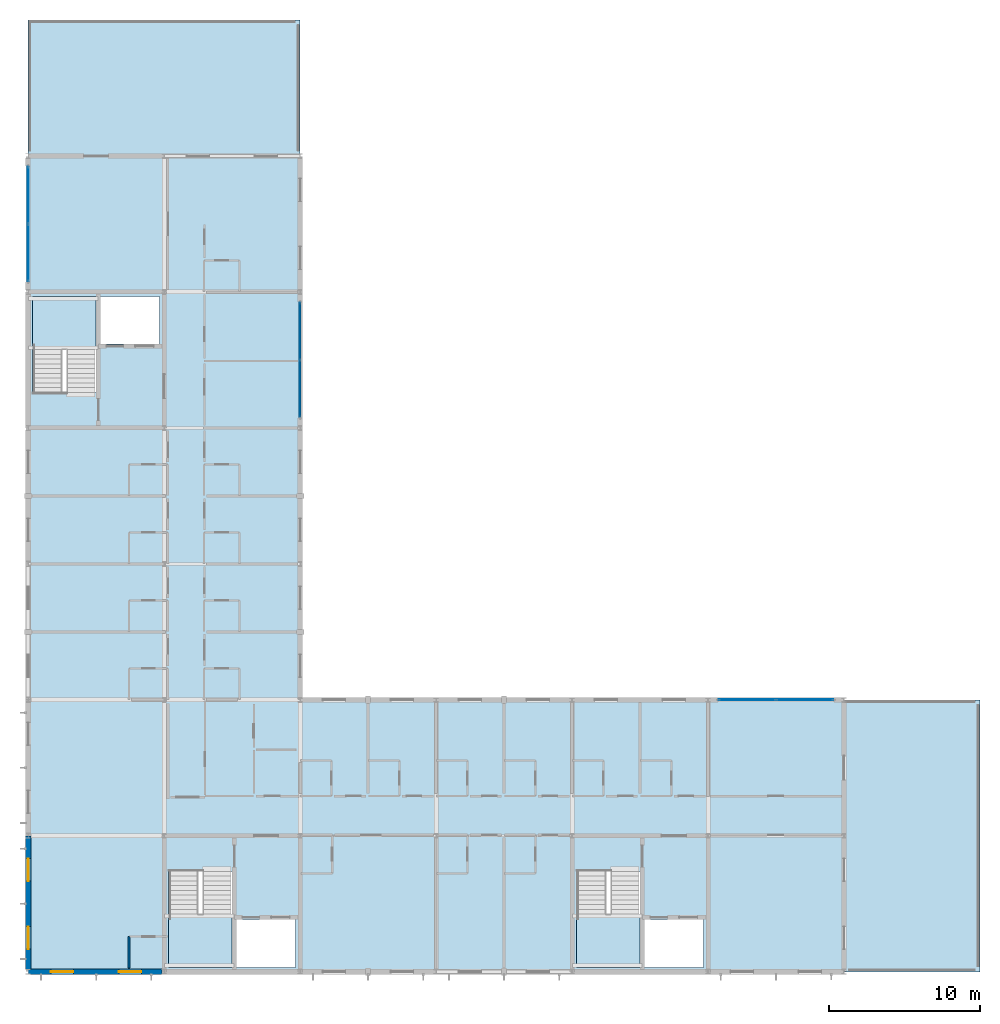
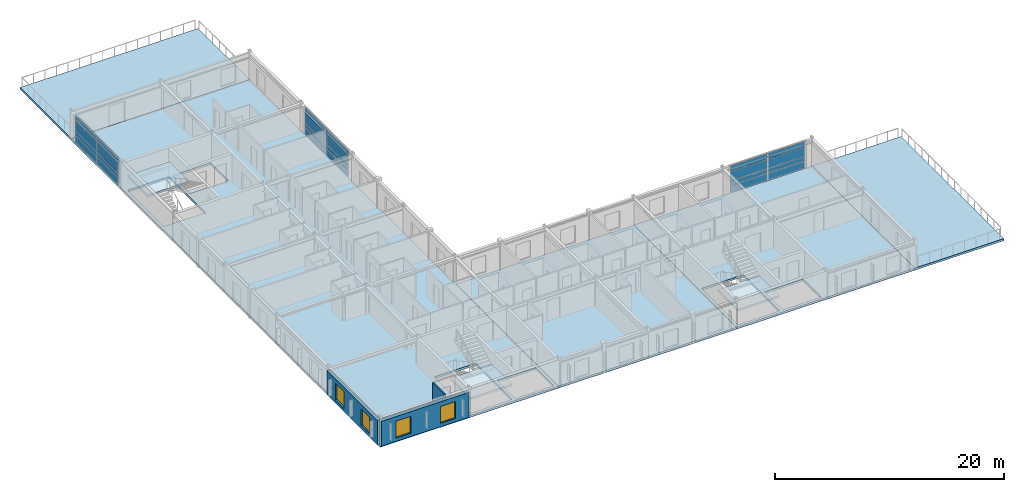
# One storey, part 8 of 18: 24 plates, 8 slabs, 4 windows, 3 walls, 4 openings, 3 elements without a shape of their own.
"""IFC4 building model written with IfcOpenShell, lengths in metres."""

from ifc_helpers import new_model, si_unit, direction, frame, frame_2d, origin, origin_2d, place, context, subcontext, project, spatial, polyline, rectangle, outline, extrude, material, layer, layer_set, type_object, element, fill, aggregate, save


model = new_model("IFC4")

# Units and contexts
model_context = context("Model", 3, precision=1e-05, world=origin(), true_north=direction((0.0, 1.0)))
body_context = subcontext(model_context, "Body", "Model", "MODEL_VIEW")
ifc_project = project(units=[si_unit("LENGTHUNIT", "METRE"), si_unit("AREAUNIT", "SQUARE_METRE"), si_unit("VOLUMEUNIT", "CUBIC_METRE"), si_unit("PLANEANGLEUNIT", "RADIAN"), si_unit("MASSUNIT", "GRAM", prefix="KILO")], contexts=[model_context])

# Site, building, storey
site_placement = place(None, origin())
site = spatial("IfcSite", under=ifc_project, at=site_placement, CompositionType="ELEMENT")
building_placement = place(site_placement, origin())
building = spatial("IfcBuilding", under=site, at=building_placement, Name="Palais des Congres Ocreval", CompositionType="ELEMENT")
storey_placement = place(building_placement, frame((0.0, 0.0, 23.679931640625)))
storey = spatial("IfcBuildingStorey", under=building, at=storey_placement, Name="L07", CompositionType="ELEMENT", Elevation=23.679931640625)

# Curtain wall, plates
ifc_material_1 = material(Name="Anodized bronze aluminium and low-E glass", Category="glass")
curtain_wall_type = type_object("IfcCurtainWallType", Name="Unitised Curtain Wall 7900x2980", PredefinedType="USERDEFINED", material=ifc_material_1)
curtain_wall_1_placement = place(storey_placement, origin())
curtain_wall_1 = element("IfcCurtainWall", 1, at=curtain_wall_1_placement, inside=storey, type_object=curtain_wall_type, Name="Unitised Curtain Wall CW05 L07", ObjectType="UNITISED CURTAIN WALL", PredefinedType="USERDEFINED")
ifc_material_2 = material(Name="Acoustic triple glazing", Category="glass")
ifc_layer_1 = layer(ifc_material_2, 0.0439453125)
ifc_layer_set_1 = layer_set([ifc_layer_1], Name="Acoustic Laminated Glazing Panel 44 (Acoustic triple glazing)")
plate_type_1 = type_object("IfcPlateType", Name="Acoustic Laminated Glazing Panel 44", PredefinedType="CURTAIN_PANEL", material=ifc_layer_set_1)
plate_1_placement = place(storey_placement, frame((0.0, 47.59375, 0.06005859375), z_axis=(0.0, 0.0, 1.0), x_axis=(0.0, 1.0, 0.0)))
plate_1 = element("IfcPlate", 2, at=plate_1_placement, type_object=plate_type_1, Name="Vision Glazing Panel VP02", PredefinedType="CURTAIN_PANEL", context=body_context, shape_type="SweptSolid", body=[
    extrude(rectangle(XDim=3.737548828125, YDim=0.0439453125, at=origin_2d()), origin(), (0.0, 0.0, 1.0), 0.68994140625),
])
plate_2_placement = place(storey_placement, frame((0.0, 47.59375, 0.81005859375), z_axis=(0.0, 0.0, 1.0), x_axis=(0.0, 1.0, 0.0)))
plate_2 = element("IfcPlate", 3, at=plate_2_placement, type_object=plate_type_1, Name="Vision Glazing Panel VP02", PredefinedType="CURTAIN_PANEL", context=body_context, shape_type="SweptSolid", body=[
    extrude(rectangle(XDim=3.737548828125, YDim=0.0439453125, at=origin_2d()), origin(), (0.0, 0.0, 1.0), 0.430419921875),
])
plate_3_placement = place(storey_placement, frame((0.0, 47.59375, 1.300537109375), z_axis=(0.0, 0.0, 1.0), x_axis=(0.0, 1.0, 0.0)))
plate_3 = element("IfcPlate", 4, at=plate_3_placement, type_object=plate_type_1, Name="Vision Glazing Panel VP02", PredefinedType="CURTAIN_PANEL", context=body_context, shape_type="SweptSolid", body=[
    extrude(rectangle(XDim=3.737548828125, YDim=0.0439453125, at=origin_2d()), origin(), (0.0, 0.0, 1.0), 0.9794921875),
])
plate_4_placement = place(storey_placement, frame((0.0, 51.40625, 0.06005859375), z_axis=(0.0, 0.0, 1.0), x_axis=(0.0, 1.0, 0.0)))
plate_4 = element("IfcPlate", 5, at=plate_4_placement, type_object=plate_type_1, Name="Vision Glazing Panel VP02", PredefinedType="CURTAIN_PANEL", context=body_context, shape_type="SweptSolid", body=[
    extrude(rectangle(XDim=3.737548828125, YDim=0.0439453125, at=origin_2d()), origin(), (0.0, 0.0, 1.0), 0.68994140625),
])
plate_5_placement = place(storey_placement, frame((0.0, 51.40625, 0.81005859375), z_axis=(0.0, 0.0, 1.0), x_axis=(0.0, 1.0, 0.0)))
plate_5 = element("IfcPlate", 6, at=plate_5_placement, type_object=plate_type_1, Name="Vision Glazing Panel VP02", PredefinedType="CURTAIN_PANEL", context=body_context, shape_type="SweptSolid", body=[
    extrude(rectangle(XDim=3.737548828125, YDim=0.0439453125, at=origin_2d()), origin(), (0.0, 0.0, 1.0), 0.430419921875),
])
plate_6_placement = place(storey_placement, frame((0.0, 51.40625, 1.300537109375), z_axis=(0.0, 0.0, 1.0), x_axis=(0.0, 1.0, 0.0)))
plate_6 = element("IfcPlate", 7, at=plate_6_placement, type_object=plate_type_1, Name="Vision Glazing Panel VP02", PredefinedType="CURTAIN_PANEL", context=body_context, shape_type="SweptSolid", body=[
    extrude(rectangle(XDim=3.737548828125, YDim=0.0439453125, at=origin_2d()), origin(), (0.0, 0.0, 1.0), 0.9794921875),
])
ifc_material_3 = material(Name="Anodized bronze aluminium", Category="aluminium")
ifc_layer_2 = layer(ifc_material_3, 0.06005859375)
ifc_layer_set_2 = layer_set([ifc_layer_2], Name="Anodized Bronze Spandrel Cassette 60 (Anodized bronze aluminium)")
plate_type_2 = type_object("IfcPlateType", Name="Anodized Bronze Spandrel Cassette 60", PredefinedType="SHEET", material=ifc_layer_set_2)
plate_7_placement = place(storey_placement, frame((0.0, 47.59375, 2.340087890625), z_axis=(0.0, 0.0, 1.0), x_axis=(0.0, 1.0, 0.0)))
plate_7 = element("IfcPlate", 8, at=plate_7_placement, type_object=plate_type_2, Name="Spandrel Sheet SPN1", PredefinedType="SHEET", context=body_context, shape_type="SweptSolid", body=[
    extrude(rectangle(XDim=3.737548828125, YDim=0.06005859375, at=origin_2d()), origin(), (0.0, 0.0, 1.0), 0.56005859375),
])
plate_8_placement = place(storey_placement, frame((0.0, 51.40625, 2.340087890625), z_axis=(0.0, 0.0, 1.0), x_axis=(0.0, 1.0, 0.0)))
plate_8 = element("IfcPlate", 9, at=plate_8_placement, type_object=plate_type_2, Name="Spandrel Sheet SPN1", PredefinedType="SHEET", context=body_context, shape_type="SweptSolid", body=[
    extrude(rectangle(XDim=3.737548828125, YDim=0.06005859375, at=origin_2d()), origin(), (0.0, 0.0, 1.0), 0.56005859375),
])
aggregate(curtain_wall_1, [plate_1, plate_2, plate_3, plate_7, plate_4, plate_5, plate_6, plate_8])

curtain_wall_2_placement = place(storey_placement, origin())
curtain_wall_2 = element("IfcCurtainWall", 10, at=curtain_wall_2_placement, inside=storey, type_object=curtain_wall_type, Name="Unitised Curtain Wall CW05 L07", ObjectType="UNITISED CURTAIN WALL", PredefinedType="USERDEFINED")
plate_9_placement = place(storey_placement, frame((47.59375, 18.0, 2.340087890625), z_axis=(0.0, 0.0, 1.0), x_axis=(1.0, 0.0, 0.0)))
plate_9 = element("IfcPlate", 11, at=plate_9_placement, type_object=plate_type_2, Name="Spandrel Sheet SPN1", PredefinedType="SHEET", context=body_context, shape_type="SweptSolid", body=[
    extrude(rectangle(XDim=3.737548828125, YDim=0.06005859375, at=origin_2d()), origin(), (0.0, 0.0, 1.0), 0.56005859375),
])
plate_10_placement = place(storey_placement, frame((51.40625, 18.0, 2.340087890625), z_axis=(0.0, 0.0, 1.0), x_axis=(1.0, 0.0, 0.0)))
plate_10 = element("IfcPlate", 12, at=plate_10_placement, type_object=plate_type_2, Name="Spandrel Sheet SPN1", PredefinedType="SHEET", context=body_context, shape_type="SweptSolid", body=[
    extrude(rectangle(XDim=3.737548828125, YDim=0.06005859375, at=origin_2d()), origin(), (0.0, 0.0, 1.0), 0.56005859375),
])

curtain_wall_3_placement = place(storey_placement, origin())
curtain_wall_3 = element("IfcCurtainWall", 13, at=curtain_wall_3_placement, inside=storey, type_object=curtain_wall_type, Name="Unitised Curtain Wall CW05 L07", ObjectType="UNITISED CURTAIN WALL", PredefinedType="USERDEFINED")
ifc_material_4 = material(Name="Low-E solar-control double glazing", Category="glass")
ifc_layer_3 = layer(ifc_material_4, 0.031982421875)
ifc_layer_set_3 = layer_set([ifc_layer_3], Name="Galleria Clear Vision Panel 32 (Low-E solar-control double glazing)")
plate_type_3 = type_object("IfcPlateType", Name="Galleria Clear Vision Panel 32", PredefinedType="CURTAIN_PANEL", material=ifc_layer_set_3)
plate_11_placement = place(storey_placement, frame((18.0, 42.40625, 0.06005859375), z_axis=(0.0, 0.0, 1.0), x_axis=(0.0, -1.0, 0.0)))
plate_11 = element("IfcPlate", 14, at=plate_11_placement, type_object=plate_type_3, Name="Vision Glazing Panel VP03", PredefinedType="CURTAIN_PANEL", context=body_context, shape_type="SweptSolid", body=[
    extrude(rectangle(XDim=3.737548828125, YDim=0.031982421875, at=origin_2d()), origin(), (0.0, 0.0, 1.0), 0.68994140625),
])
plate_12_placement = place(storey_placement, frame((18.0, 42.40625, 0.81005859375), z_axis=(0.0, 0.0, 1.0), x_axis=(0.0, -1.0, 0.0)))
plate_12 = element("IfcPlate", 15, at=plate_12_placement, type_object=plate_type_3, Name="Vision Glazing Panel VP03", PredefinedType="CURTAIN_PANEL", context=body_context, shape_type="SweptSolid", body=[
    extrude(rectangle(XDim=3.737548828125, YDim=0.031982421875, at=origin_2d()), origin(), (0.0, 0.0, 1.0), 0.430419921875),
])
plate_13_placement = place(storey_placement, frame((18.0, 42.40625, 1.300537109375), z_axis=(0.0, 0.0, 1.0), x_axis=(0.0, -1.0, 0.0)))
plate_13 = element("IfcPlate", 16, at=plate_13_placement, type_object=plate_type_3, Name="Vision Glazing Panel VP03", PredefinedType="CURTAIN_PANEL", context=body_context, shape_type="SweptSolid", body=[
    extrude(rectangle(XDim=3.737548828125, YDim=0.031982421875, at=origin_2d()), origin(), (0.0, 0.0, 1.0), 0.9794921875),
])
plate_14_placement = place(storey_placement, frame((18.0, 38.59375, 0.06005859375), z_axis=(0.0, 0.0, 1.0), x_axis=(0.0, -1.0, 0.0)))
plate_14 = element("IfcPlate", 17, at=plate_14_placement, type_object=plate_type_3, Name="Vision Glazing Panel VP03", PredefinedType="CURTAIN_PANEL", context=body_context, shape_type="SweptSolid", body=[
    extrude(rectangle(XDim=3.737548828125, YDim=0.031982421875, at=origin_2d()), origin(), (0.0, 0.0, 1.0), 0.68994140625),
])
plate_15_placement = place(storey_placement, frame((18.0, 38.59375, 0.81005859375), z_axis=(0.0, 0.0, 1.0), x_axis=(0.0, -1.0, 0.0)))
plate_15 = element("IfcPlate", 18, at=plate_15_placement, type_object=plate_type_3, Name="Vision Glazing Panel VP03", PredefinedType="CURTAIN_PANEL", context=body_context, shape_type="SweptSolid", body=[
    extrude(rectangle(XDim=3.737548828125, YDim=0.031982421875, at=origin_2d()), origin(), (0.0, 0.0, 1.0), 0.430419921875),
])
plate_16_placement = place(storey_placement, frame((18.0, 38.59375, 1.300537109375), z_axis=(0.0, 0.0, 1.0), x_axis=(0.0, -1.0, 0.0)))
plate_16 = element("IfcPlate", 19, at=plate_16_placement, type_object=plate_type_3, Name="Vision Glazing Panel VP03", PredefinedType="CURTAIN_PANEL", context=body_context, shape_type="SweptSolid", body=[
    extrude(rectangle(XDim=3.737548828125, YDim=0.031982421875, at=origin_2d()), origin(), (0.0, 0.0, 1.0), 0.9794921875),
])

# Plate
ifc_layer_4 = layer(ifc_material_4, 0.035888671875)
ifc_layer_set_4 = layer_set([ifc_layer_4], Name="Low-E Vision Glazing Panel 36 (Low-E solar-control double glazing)")
plate_type_4 = type_object("IfcPlateType", Name="Low-E Vision Glazing Panel 36", PredefinedType="CURTAIN_PANEL", material=ifc_layer_set_4)
plate_17_placement = place(storey_placement, frame((47.59375, 18.0, 0.06005859375), z_axis=(0.0, 0.0, 1.0), x_axis=(1.0, 0.0, 0.0)))
plate_17 = element("IfcPlate", 20, at=plate_17_placement, type_object=plate_type_4, Name="Vision Glazing Panel VP01", PredefinedType="CURTAIN_PANEL", context=body_context, shape_type="SweptSolid", body=[
    extrude(rectangle(XDim=3.737548828125, YDim=0.035888671875, at=origin_2d()), origin(), (0.0, 0.0, 1.0), 0.68994140625),
])

plate_18_placement = place(storey_placement, frame((47.59375, 18.0, 0.81005859375), z_axis=(0.0, 0.0, 1.0), x_axis=(1.0, 0.0, 0.0)))
plate_18 = element("IfcPlate", 21, at=plate_18_placement, type_object=plate_type_4, Name="Vision Glazing Panel VP01", PredefinedType="CURTAIN_PANEL", context=body_context, shape_type="SweptSolid", body=[
    extrude(rectangle(XDim=3.737548828125, YDim=0.035888671875, at=origin_2d()), origin(), (0.0, 0.0, 1.0), 0.430419921875),
])

plate_19_placement = place(storey_placement, frame((47.59375, 18.0, 1.300537109375), z_axis=(0.0, 0.0, 1.0), x_axis=(1.0, 0.0, 0.0)))
plate_19 = element("IfcPlate", 22, at=plate_19_placement, type_object=plate_type_4, Name="Vision Glazing Panel VP01", PredefinedType="CURTAIN_PANEL", context=body_context, shape_type="SweptSolid", body=[
    extrude(rectangle(XDim=3.737548828125, YDim=0.035888671875, at=origin_2d()), origin(), (0.0, 0.0, 1.0), 0.9794921875),
])

plate_20_placement = place(storey_placement, frame((51.40625, 18.0, 0.06005859375), z_axis=(0.0, 0.0, 1.0), x_axis=(1.0, 0.0, 0.0)))
plate_20 = element("IfcPlate", 23, at=plate_20_placement, type_object=plate_type_4, Name="Vision Glazing Panel VP01", PredefinedType="CURTAIN_PANEL", context=body_context, shape_type="SweptSolid", body=[
    extrude(rectangle(XDim=3.737548828125, YDim=0.035888671875, at=origin_2d()), origin(), (0.0, 0.0, 1.0), 0.68994140625),
])

plate_21_placement = place(storey_placement, frame((51.40625, 18.0, 0.81005859375), z_axis=(0.0, 0.0, 1.0), x_axis=(1.0, 0.0, 0.0)))
plate_21 = element("IfcPlate", 24, at=plate_21_placement, type_object=plate_type_4, Name="Vision Glazing Panel VP01", PredefinedType="CURTAIN_PANEL", context=body_context, shape_type="SweptSolid", body=[
    extrude(rectangle(XDim=3.737548828125, YDim=0.035888671875, at=origin_2d()), origin(), (0.0, 0.0, 1.0), 0.430419921875),
])

plate_22_placement = place(storey_placement, frame((51.40625, 18.0, 1.300537109375), z_axis=(0.0, 0.0, 1.0), x_axis=(1.0, 0.0, 0.0)))
plate_22 = element("IfcPlate", 25, at=plate_22_placement, type_object=plate_type_4, Name="Vision Glazing Panel VP01", PredefinedType="CURTAIN_PANEL", context=body_context, shape_type="SweptSolid", body=[
    extrude(rectangle(XDim=3.737548828125, YDim=0.035888671875, at=origin_2d()), origin(), (0.0, 0.0, 1.0), 0.9794921875),
])

aggregate(curtain_wall_2, [plate_17, plate_18, plate_19, plate_9, plate_20, plate_21, plate_22, plate_10])

# Slabs
ifc_material_5 = material(Name="Concrete C40/50", Category="concrete")
ifc_layer_5 = layer(ifc_material_5, 0.219970703125)
ifc_layer_set_5 = layer_set([ifc_layer_5], Name="Post-Tensioned Hotel Slab 220 Concrete C40/50")
slab_type_1 = type_object("IfcSlabType", Name="Post-Tensioned Hotel Slab 220 Concrete C40/50", PredefinedType="FLOOR", material=ifc_layer_set_5)
slab_1_placement = place(storey_placement, frame((0.0, 0.0, -0.219970703125)))
element("IfcSlab", 26, at=slab_1_placement, inside=storey, type_object=slab_type_1, Name="Floor Slab SL11 L07 V4-1", PredefinedType="FLOOR", context=body_context, shape_type="SweptSolid", body=[
    extrude(outline(polyline([(0.0, 0.0), (0.0, 18.0), (0.0, 54.0), (18.0, 54.0), (18.0, 18.0), (18.0, 0.0), (0.0, 0.0)]), holes=[polyline([(17.699951171875, 0.300048828125), (17.699951171875, 3.449951171875), (13.800048828125, 3.449951171875), (13.800048828125, 0.300048828125), (17.699951171875, 0.300048828125)]), polyline([(9.300048828125, 0.300048828125), (13.5, 0.300048828125), (13.5, 6.64990234375), (9.300048828125, 6.64990234375), (9.300048828125, 0.300048828125)]), polyline([(0.300048828125, 38.35009765625), (4.5, 38.35009765625), (4.5, 44.699951171875), (0.300048828125, 44.699951171875), (0.300048828125, 38.35009765625)]), polyline([(4.800048828125, 41.550048828125), (8.699951171875, 41.550048828125), (8.699951171875, 44.699951171875), (4.800048828125, 44.699951171875), (4.800048828125, 41.550048828125)])]), origin(), (0.0, 0.0, 1.0), 0.219970703125),
])
slab_2_placement = place(storey_placement, frame((0.0, 0.0, -0.219970703125)))
element("IfcSlab", 27, at=slab_2_placement, inside=storey, type_object=slab_type_1, Name="Floor Slab SL11 L07 V4-2", PredefinedType="FLOOR", context=body_context, shape_type="SweptSolid", body=[
    extrude(outline(polyline([(18.0, 0.0), (18.0, 18.0), (36.0, 18.0), (36.0, 0.0), (18.0, 0.0)])), origin(), (0.0, 0.0, 1.0), 0.219970703125),
])
slab_3_placement = place(storey_placement, frame((0.0, 0.0, -0.219970703125)))
element("IfcSlab", 28, at=slab_3_placement, inside=storey, type_object=slab_type_1, Name="Floor Slab SL11 L07 V4-3", PredefinedType="FLOOR", context=body_context, shape_type="SweptSolid", body=[
    extrude(outline(polyline([(36.0, 0.0), (36.0, 18.0), (54.0, 18.0), (54.0, 0.0), (36.0, 0.0)]), holes=[polyline([(40.800048828125, 0.300048828125), (44.699951171875, 0.300048828125), (44.699951171875, 3.449951171875), (40.800048828125, 3.449951171875), (40.800048828125, 0.300048828125)]), polyline([(40.5, 0.300048828125), (40.5, 6.64990234375), (36.300048828125, 6.64990234375), (36.300048828125, 0.300048828125), (40.5, 0.300048828125)])]), origin(), (0.0, 0.0, 1.0), 0.219970703125),
])
slab_4_placement = place(storey_placement, frame((0.0, 0.0, -0.219970703125)))
element("IfcSlab", 29, at=slab_4_placement, inside=storey, type_object=slab_type_1, Name="Executive Club East Terrace", PredefinedType="FLOOR", context=body_context, shape_type="SweptSolid", body=[
    extrude(outline(polyline([(54.0, 0.0), (54.0, 18.0), (63.0, 18.0), (63.0, 0.0), (54.0, 0.0)])), origin(), (0.0, 0.0, 1.0), 0.219970703125),
])
slab_5_placement = place(storey_placement, frame((0.0, 0.0, -0.219970703125)))
element("IfcSlab", 30, at=slab_5_placement, inside=storey, type_object=slab_type_1, Name="Diplomatic North Terrace", PredefinedType="FLOOR", context=body_context, shape_type="SweptSolid", body=[
    extrude(outline(polyline([(0.0, 54.0), (0.0, 63.0), (18.0, 63.0), (18.0, 54.0), (0.0, 54.0)])), origin(), (0.0, 0.0, 1.0), 0.219970703125),
])
ifc_layer_6 = layer(ifc_material_5, 0.199951171875)
ifc_layer_set_6 = layer_set([ifc_layer_6], Name="Stair and Ramp Landing Slab 200 Concrete C40/50")
slab_type_2 = type_object("IfcSlabType", Name="Stair and Ramp Landing Slab 200 Concrete C40/50", PredefinedType="LANDING", material=ifc_layer_set_6)
slab_6_placement = place(storey_placement, frame((0.0, 0.0, 1.400146484375)))
element("IfcSlab", 31, at=slab_6_placement, inside=storey, type_object=slab_type_2, Name="Stair Half-Landing ST01 L07", PredefinedType="LANDING", context=body_context, shape_type="SweptSolid", body=[
    extrude(outline(polyline([(9.300048828125, 0.300048828125), (13.5, 0.300048828125), (13.5, 3.81494140625), (9.300048828125, 3.81494140625), (9.300048828125, 0.300048828125)])), origin(), (0.0, 0.0, 1.0), 0.199951171875),
])
slab_7_placement = place(storey_placement, frame((0.0, 0.0, 1.400146484375)))
element("IfcSlab", 32, at=slab_7_placement, inside=storey, type_object=slab_type_2, Name="Stair Half-Landing ST02 L07", PredefinedType="LANDING", context=body_context, shape_type="SweptSolid", body=[
    extrude(outline(polyline([(36.300048828125, 0.300048828125), (40.5, 0.300048828125), (40.5, 3.81494140625), (36.300048828125, 3.81494140625), (36.300048828125, 0.300048828125)])), origin(), (0.0, 0.0, 1.0), 0.199951171875),
])
slab_8_placement = place(storey_placement, frame((0.0, 0.0, 1.400146484375)))
element("IfcSlab", 33, at=slab_8_placement, inside=storey, type_object=slab_type_2, Name="Stair Half-Landing ST03 L07", PredefinedType="LANDING", context=body_context, shape_type="SweptSolid", body=[
    extrude(outline(polyline([(0.300048828125, 41.18505859375), (4.5, 41.18505859375), (4.5, 44.699951171875), (0.300048828125, 44.699951171875), (0.300048828125, 41.18505859375)])), origin(), (0.0, 0.0, 1.0), 0.199951171875),
])

# Plate
ifc_material_6 = material(Name="Terracotta ceramic spandrel", Category="masonry")
ifc_layer_7 = layer(ifc_material_6, 0.080078125)
ifc_layer_set_7 = layer_set([ifc_layer_7], Name="Terracotta Insulated Spandrel Sheet 80 (Terracotta ceramic spandrel)")
plate_type_5 = type_object("IfcPlateType", Name="Terracotta Insulated Spandrel Sheet 80", PredefinedType="SHEET", material=ifc_layer_set_7)
plate_23_placement = place(storey_placement, frame((18.0, 42.40625, 2.340087890625), z_axis=(0.0, 0.0, 1.0), x_axis=(0.0, -1.0, 0.0)))
plate_23 = element("IfcPlate", 34, at=plate_23_placement, type_object=plate_type_5, Name="Spandrel Sheet SPN2", PredefinedType="SHEET", context=body_context, shape_type="SweptSolid", body=[
    extrude(rectangle(XDim=3.737548828125, YDim=0.080078125, at=origin_2d()), origin(), (0.0, 0.0, 1.0), 0.56005859375),
])

plate_24_placement = place(storey_placement, frame((18.0, 38.59375, 2.340087890625), z_axis=(0.0, 0.0, 1.0), x_axis=(0.0, -1.0, 0.0)))
plate_24 = element("IfcPlate", 35, at=plate_24_placement, type_object=plate_type_5, Name="Spandrel Sheet SPN2", PredefinedType="SHEET", context=body_context, shape_type="SweptSolid", body=[
    extrude(rectangle(XDim=3.737548828125, YDim=0.080078125, at=origin_2d()), origin(), (0.0, 0.0, 1.0), 0.56005859375),
])

aggregate(curtain_wall_3, [plate_11, plate_12, plate_13, plate_23, plate_14, plate_15, plate_16, plate_24])

# Wall
ifc_material_7 = material(Name="Moisture-resistant gypsum board")
ifc_layer_8 = layer(ifc_material_7, 0.139892578125)
ifc_layer_set_8 = layer_set([ifc_layer_8], Name="Bathroom Plumbing Chase Wall 140 Gypsum (Moisture-resistant gypsum board)")
wall_type_1 = type_object("IfcWallType", Name="Bathroom Plumbing Chase Wall 140 Gypsum", PredefinedType="PLUMBINGWALL", material=ifc_layer_set_8)
wall_1_placement = place(storey_placement, frame((6.679931640625, 0.27001953125, 0.0), z_axis=(0.0, 0.0, 1.0), x_axis=(0.0, 1.0, 0.0)))
element("IfcWall", 36, at=wall_1_placement, inside=storey, type_object=wall_type_1, Name="Bathroom Plumbing Wall PW03 L07", PredefinedType="PLUMBINGWALL", context=body_context, shape_type="SweptSolid", body=[
    extrude(rectangle(XDim=2.06005859375, YDim=0.139892578125, at=frame_2d((1.030029296875, 0.0))), origin(), (0.0, 0.0, 1.0), 2.9599609375),
])

# Wall, openings, windows
ifc_layer_9 = layer(ifc_material_5, 0.3798828125)
ifc_layer_set_9 = layer_set([ifc_layer_9], Name="Lutetian Limestone Street Wall 380 Concrete C40/50")
wall_type_2 = type_object("IfcWallType", Name="Lutetian Limestone Street Wall 380 Concrete C40/50", PredefinedType="SOLIDWALL", material=ifc_layer_set_9)
wall_2_placement = place(storey_placement, frame((8.8701171875, 0.0, 0.0), z_axis=(0.0, 0.0, 1.0), x_axis=(-1.0, 0.0, 0.0)))
wall_2 = element("IfcWall", 37, at=wall_2_placement, inside=storey, type_object=wall_type_2, Name="Exterior Wall EW03 L07", PredefinedType="SOLIDWALL", context=body_context, shape_type="SweptSolid", body=[
    extrude(rectangle(XDim=8.8701171875, YDim=0.3798828125, at=frame_2d((4.43505859375, 0.0))), origin(), (0.0, 0.0, 1.0), 2.66015625),
])
opening_1_placement = place(wall_2_placement, frame((1.3701171875, 0.0, 0.35009765625)))
opening_1 = element("IfcOpeningElement", 38, at=opening_1_placement, cuts=wall_2, Name="Opening WN06", PredefinedType="OPENING", context=body_context, shape_type="SweptSolid", body=[
    extrude(rectangle(XDim=1.5, YDim=1.800048828125, at=frame_2d((0.75, 0.89990234375))), frame((0.0, 0.199951171875, 0.0), z_axis=(0.0, -1.0, 0.0), x_axis=(1.0, 0.0, 0.0)), (0.0, 0.0, 1.0), 0.39990234375),
])
opening_2_placement = place(wall_2_placement, frame((5.8701171875, 0.0, 0.35009765625)))
opening_2 = element("IfcOpeningElement", 39, at=opening_2_placement, cuts=wall_2, Name="Opening WN06", PredefinedType="OPENING", context=body_context, shape_type="SweptSolid", body=[
    extrude(rectangle(XDim=1.5, YDim=1.800048828125, at=frame_2d((0.75, 0.89990234375))), frame((0.0, 0.199951171875, 0.0), z_axis=(0.0, -1.0, 0.0), x_axis=(1.0, 0.0, 0.0)), (0.0, 0.0, 1.0), 0.39990234375),
])
window_type = type_object("IfcWindowType", Name="Upper Setback Window 1500x1800", PartitioningType="SINGLE_PANEL", PredefinedType="WINDOW", material=ifc_material_1)
window_1_placement = place(opening_1_placement, origin())
window_1 = element("IfcWindow", 40, at=window_1_placement, inside=storey, type_object=window_type, Name="Hotel Facade Window WN06", OverallHeight=1.800048828125, OverallWidth=1.5, PartitioningType="SINGLE_PANEL", PredefinedType="WINDOW", context=body_context, shape_type="SweptSolid", body=[
    extrude(rectangle(XDim=1.5, YDim=1.800048828125, at=frame_2d((0.75, 0.89990234375))), frame((0.0, 0.030029296875, 0.0), z_axis=(0.0, -1.0, 0.0), x_axis=(1.0, 0.0, 0.0)), (0.0, 0.0, 1.0), 0.06005859375),
])
fill(opening_1, window_1)
window_2_placement = place(opening_2_placement, origin())
window_2 = element("IfcWindow", 41, at=window_2_placement, inside=storey, type_object=window_type, Name="Hotel Facade Window WN06", OverallHeight=1.800048828125, OverallWidth=1.5, PartitioningType="SINGLE_PANEL", PredefinedType="WINDOW", context=body_context, shape_type="SweptSolid", body=[
    extrude(rectangle(XDim=1.5, YDim=1.800048828125, at=frame_2d((0.75, 0.89990234375))), frame((0.0, 0.030029296875, 0.0), z_axis=(0.0, -1.0, 0.0), x_axis=(1.0, 0.0, 0.0)), (0.0, 0.0, 1.0), 0.06005859375),
])
fill(opening_2, window_2)

wall_3_placement = place(storey_placement, frame((0.0, 0.155029296875, 0.0), z_axis=(0.0, 0.0, 1.0), x_axis=(0.0, 1.0, 0.0)))
wall_3 = element("IfcWall", 42, at=wall_3_placement, inside=storey, type_object=wall_type_2, Name="Exterior Wall EW03 L07", PredefinedType="SOLIDWALL", context=body_context, shape_type="SweptSolid", body=[
    extrude(rectangle(XDim=8.844970703125, YDim=0.3798828125, at=frame_2d((4.42236328125, 0.0))), origin(), (0.0, 0.0, 1.0), 2.60009765625),
])
opening_3_placement = place(wall_3_placement, frame((1.344970703125, 0.0, 0.35009765625)))
opening_3 = element("IfcOpeningElement", 43, at=opening_3_placement, cuts=wall_3, Name="Opening WN06", PredefinedType="OPENING", context=body_context, shape_type="SweptSolid", body=[
    extrude(rectangle(XDim=1.5, YDim=1.800048828125, at=frame_2d((0.75, 0.89990234375))), frame((0.0, 0.199951171875, 0.0), z_axis=(0.0, -1.0, 0.0), x_axis=(1.0, 0.0, 0.0)), (0.0, 0.0, 1.0), 0.39990234375),
])
opening_4_placement = place(wall_3_placement, frame((5.844970703125, 0.0, 0.35009765625)))
opening_4 = element("IfcOpeningElement", 44, at=opening_4_placement, cuts=wall_3, Name="Opening WN06", PredefinedType="OPENING", context=body_context, shape_type="SweptSolid", body=[
    extrude(rectangle(XDim=1.5, YDim=1.800048828125, at=frame_2d((0.75, 0.89990234375))), frame((0.0, 0.199951171875, 0.0), z_axis=(0.0, -1.0, 0.0), x_axis=(1.0, 0.0, 0.0)), (0.0, 0.0, 1.0), 0.39990234375),
])
window_3_placement = place(opening_3_placement, origin())
window_3 = element("IfcWindow", 45, at=window_3_placement, inside=storey, type_object=window_type, Name="Hotel Facade Window WN06", OverallHeight=1.800048828125, OverallWidth=1.5, PartitioningType="SINGLE_PANEL", PredefinedType="WINDOW", context=body_context, shape_type="SweptSolid", body=[
    extrude(rectangle(XDim=1.5, YDim=1.800048828125, at=frame_2d((0.75, 0.89990234375))), frame((0.0, 0.030029296875, 0.0), z_axis=(0.0, -1.0, 0.0), x_axis=(1.0, 0.0, 0.0)), (0.0, 0.0, 1.0), 0.06005859375),
])
fill(opening_3, window_3)
window_4_placement = place(opening_4_placement, origin())
window_4 = element("IfcWindow", 46, at=window_4_placement, inside=storey, type_object=window_type, Name="Hotel Facade Window WN06", OverallHeight=1.800048828125, OverallWidth=1.5, PartitioningType="SINGLE_PANEL", PredefinedType="WINDOW", context=body_context, shape_type="SweptSolid", body=[
    extrude(rectangle(XDim=1.5, YDim=1.800048828125, at=frame_2d((0.75, 0.89990234375))), frame((0.0, 0.030029296875, 0.0), z_axis=(0.0, -1.0, 0.0), x_axis=(1.0, 0.0, 0.0)), (0.0, 0.0, 1.0), 0.06005859375),
])
fill(opening_4, window_4)

save(model, "model.ifc")
